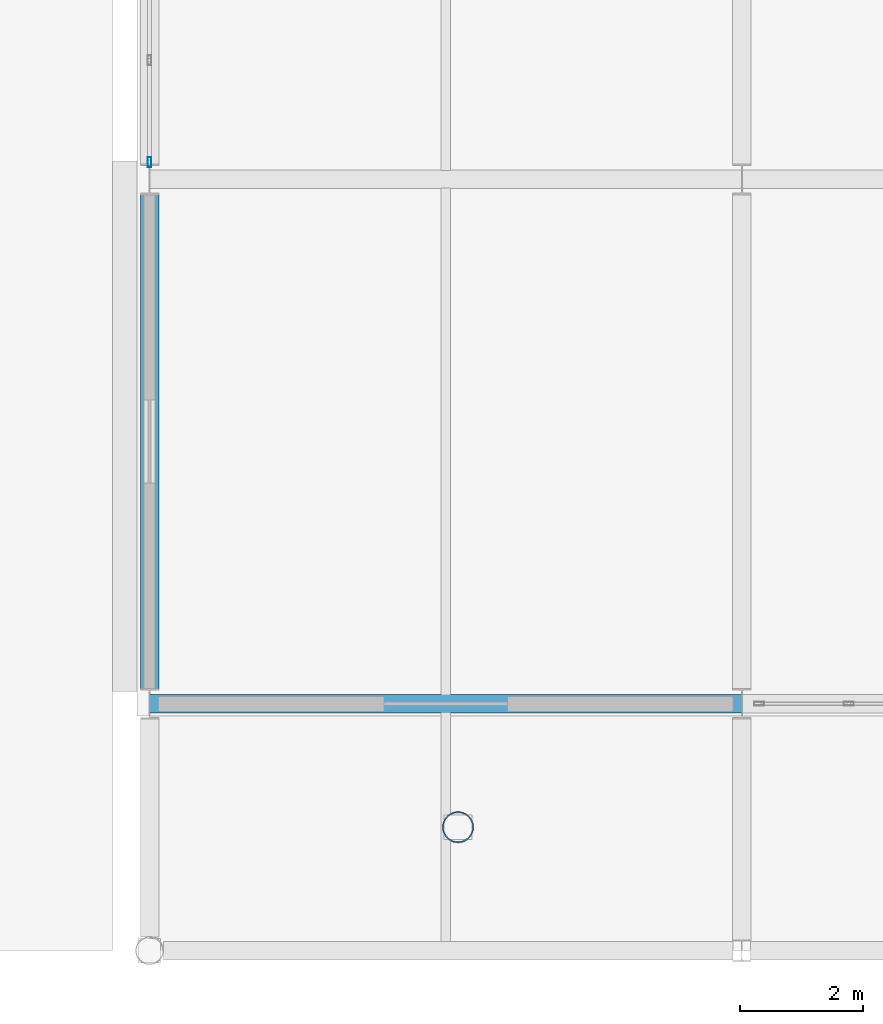
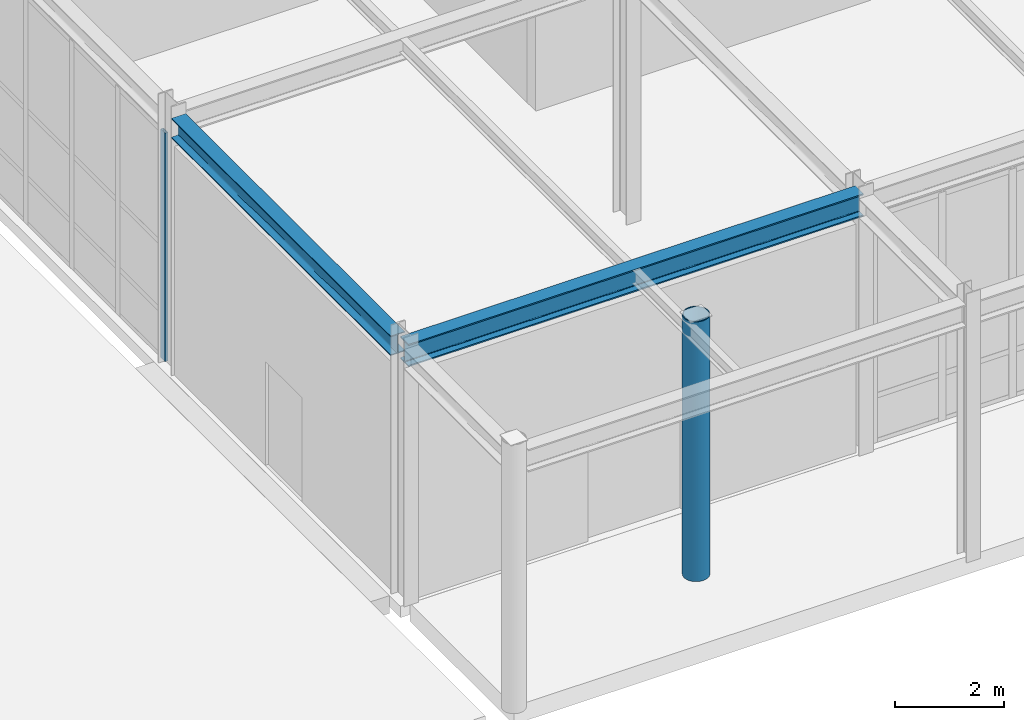
# One storey, part 70 of 146: 2 beams, 2 members, 1 element without a shape of its own.
"""IFC4 building model written with IfcOpenShell, lengths in metres."""

from ifc_helpers import new_model, si_unit, direction, frame, origin, origin_2d, place, context, subcontext, project, spatial, hollow_rectangle, hollow_circle, i_section, extrude, material, material_profile, profile_set, type_object, element, aggregate, save


model = new_model("IFC4")

# Units and contexts
model_context = context("Model", 3, precision=1e-05, world=origin(), true_north=direction((0.0, 1.0)))
body_context = subcontext(model_context, "Body", "Model", "MODEL_VIEW")
ifc_project = project(units=[si_unit("LENGTHUNIT", "METRE"), si_unit("AREAUNIT", "SQUARE_METRE"), si_unit("VOLUMEUNIT", "CUBIC_METRE"), si_unit("PLANEANGLEUNIT", "RADIAN"), si_unit("MASSUNIT", "GRAM", prefix="KILO")], contexts=[model_context])

# Site, building, storey
site_placement = place(None, origin())
site = spatial("IfcSite", under=ifc_project, at=site_placement, CompositionType="ELEMENT")
building_placement = place(site_placement, origin())
building = spatial("IfcBuilding", under=site, at=building_placement, Name="Kaldris Quays Convention Centre", CompositionType="ELEMENT")
storey_placement = place(building_placement, origin())
storey = spatial("IfcBuildingStorey", under=building, at=storey_placement, Name="L00", CompositionType="ELEMENT", Elevation=0.0)

# Curtain wall, member
ifc_material_1 = material(Name="Anodized aluminium AW-6060 and triple glazing", Category="aluminium")
curtain_wall_type = type_object("IfcCurtainWallType", Name="UNITISED CURTAIN WALL CW02", PredefinedType="NOTDEFINED", material=ifc_material_1)
curtain_wall_placement = place(storey_placement, origin())
curtain_wall = element("IfcCurtainWall", 1, at=curtain_wall_placement, inside=storey, type_object=curtain_wall_type, Name="L00 Unitised Curtain Wall CW02 183", PredefinedType="NOTDEFINED")
ifc_material_2 = material(Name="Anodized aluminium AW-6060", Category="aluminium")
ifc_material_profile_1 = material_profile(ifc_material_2, hollow_rectangle(XDim=0.06005859375, YDim=0.159912109375, WallThickness=0.00390625, at=origin_2d()), Name="RHS 160x60x4")
ifc_profile_set_1 = profile_set([ifc_material_profile_1], Name="Anodized aluminium AW-6060")
member_type_1 = type_object("IfcMemberType", Name="CURTAIN MULLION CWM1", PredefinedType="MULLION", material=ifc_profile_set_1)
member_1_placement = place(storey_placement, frame((155.0, 28.780029296875, 0.0), z_axis=(0.0, 0.0, 1.0), x_axis=(-1.0, 0.0, 0.0)))
member_1 = element("IfcMember", 2, at=member_1_placement, type_object=member_type_1, Name="CW02 mullion 1", PredefinedType="MULLION", context=body_context, shape_type="SweptSolid", body=[
    extrude(hollow_rectangle(XDim=0.06005859375, YDim=0.159912109375, WallThickness=0.00390625, at=origin_2d()), origin(), (0.0, 0.0, 1.0), 5.10009765625),
])
aggregate(curtain_wall, [member_1])

# Beams
ifc_material_3 = material(Name="Steel S355J2", Category="steel")
ifc_material_profile_2 = material_profile(ifc_material_3, i_section(OverallWidth=0.300048828125, OverallDepth=0.5, WebThickness=0.014404296875, FlangeThickness=0.028076171875, FilletRadius=0.027099609375, at=origin_2d()), Name="HEB 500")
ifc_profile_set_2 = profile_set([ifc_material_profile_2], Name="Steel S355J2")
beam_type_1 = type_object("IfcBeamType", Name="STRUCTURAL BEAM BM06", PredefinedType="BEAM", material=ifc_profile_set_2)
beam_1_placement = place(storey_placement, frame((155.001220703125, 20.0, 5.492919921875), z_axis=(1.0, 0.0, 0.0), x_axis=(0.0, 1.0, 0.0)))
element("IfcBeam", 3, at=beam_1_placement, inside=storey, type_object=beam_type_1, Name="L00 Girder BM06 6", PredefinedType="BEAM", context=body_context, shape_type="SweptSolid", body=[
    extrude(i_section(OverallWidth=0.300048828125, OverallDepth=0.5, WebThickness=0.014404296875, FlangeThickness=0.028076171875, FilletRadius=0.027099609375, at=origin_2d()), origin(), (0.0, 0.0, 1.0), 9.597412109375),
])
ifc_material_profile_3 = material_profile(ifc_material_3, i_section(OverallWidth=0.300048828125, OverallDepth=0.43994140625, WebThickness=0.011474609375, FlangeThickness=0.02099609375, FilletRadius=0.027099609375, at=origin_2d()), Name="HEA 450")
ifc_profile_set_3 = profile_set([ifc_material_profile_3], Name="Steel S355J2")
beam_type_2 = type_object("IfcBeamType", Name="STRUCTURAL BEAM BM14", PredefinedType="BEAM", material=ifc_profile_set_3)
beam_2_placement = place(storey_placement, frame((155.0, 20.243896484375, 5.52294921875), z_axis=(0.0, 1.0, 0.0), x_axis=(-1.0, 0.0, 0.0)))
element("IfcBeam", 4, at=beam_2_placement, inside=storey, type_object=beam_type_2, Name="L00 Girder BM14 22", PredefinedType="BEAM", context=body_context, shape_type="SweptSolid", body=[
    extrude(i_section(OverallWidth=0.300048828125, OverallDepth=0.43994140625, WebThickness=0.011474609375, FlangeThickness=0.02099609375, FilletRadius=0.027099609375, at=origin_2d()), origin(), (0.0, 0.0, 1.0), 8.01220703125),
])

# Member
ifc_material_4 = material(Name="Steel S355J2H", Category="steel")
ifc_material_profile_4 = material_profile(ifc_material_4, hollow_circle(Radius=0.25390625, WallThickness=0.02001953125, at=origin_2d()), Name="CHS 508x20")
ifc_profile_set_4 = profile_set([ifc_material_profile_4], Name="Steel S355J2H")
member_type_2 = type_object("IfcMemberType", Name="STRUCTURAL MEMBER MP01", PredefinedType="POST", material=ifc_profile_set_4)
member_2_placement = place(storey_placement, frame((160.0, 18.0, 0.0), z_axis=(0.0, 0.0, 1.0), x_axis=(1.0, 0.0, 0.0)))
element("IfcMember", 5, at=member_2_placement, inside=storey, type_object=member_type_2, Name="L00 Riverfront Colonnade Tubular Post MP01 1", PredefinedType="POST", context=body_context, shape_type="SweptSolid", body=[
    extrude(hollow_circle(Radius=0.25390625, WallThickness=0.02001953125, at=origin_2d()), origin(), (0.0, 0.0, 1.0), 5.794921875),
])

save(model, "model.ifc")
